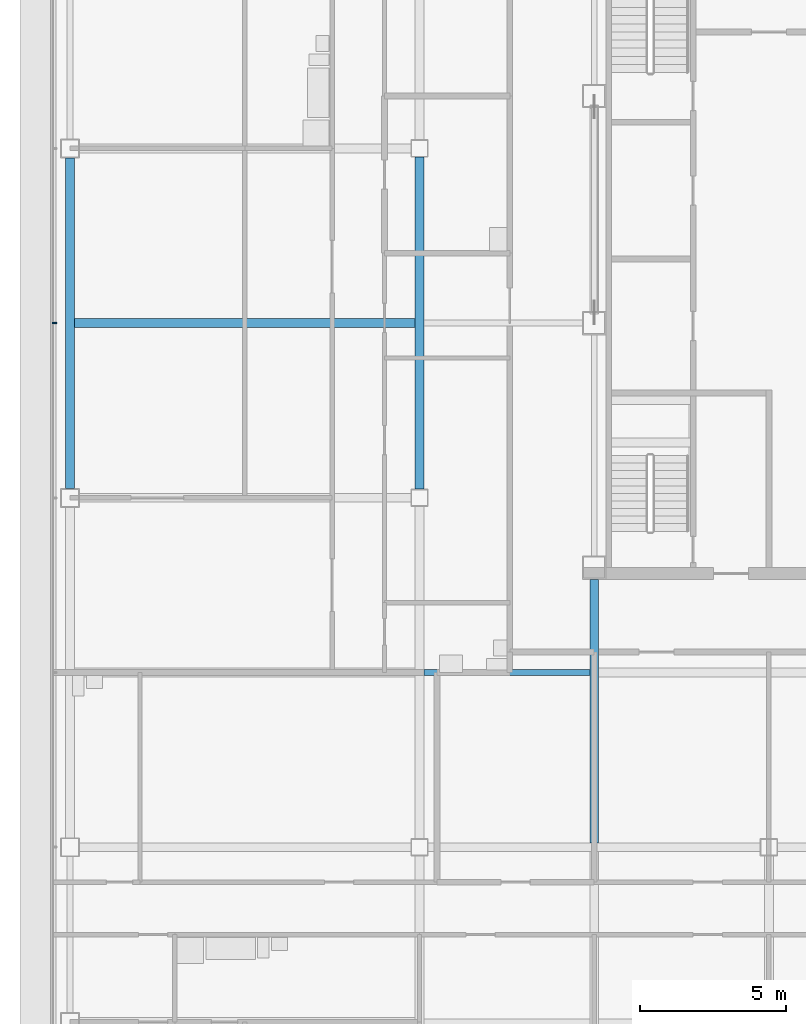
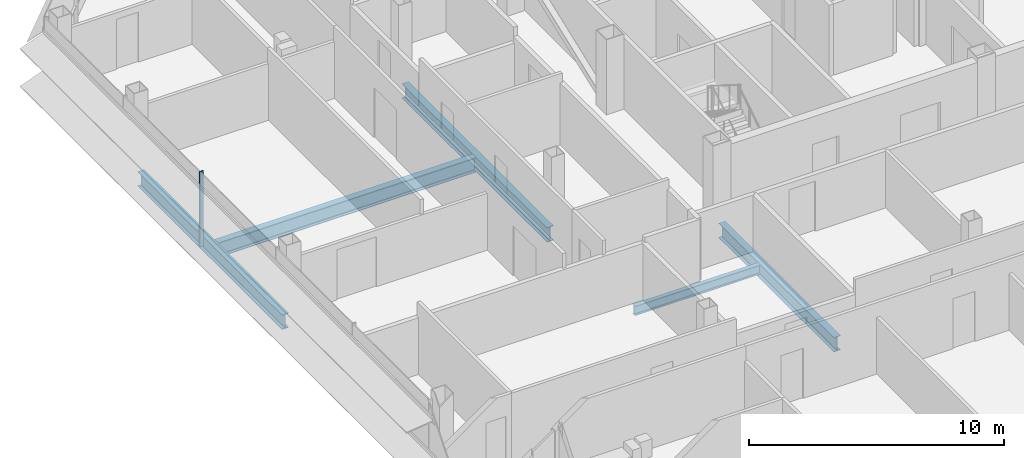
# One storey, part 6 of 27: 5 beams, 1 member, 1 element without a shape of its own.
"""IFC4 building model written with IfcOpenShell, lengths in metres."""

from ifc_helpers import new_model, si_unit, direction, frame, origin, origin_2d, place, context, subcontext, project, spatial, rectangle, i_section, extrude, material, material_profile, profile_set, type_object, element, aggregate, save


model = new_model("IFC4")

# Units and contexts
model_context = context("Model", 3, precision=1e-05, world=origin(), true_north=direction((0.0, 1.0)))
body_context = subcontext(model_context, "Body", "Model", "MODEL_VIEW")
ifc_project = project(units=[si_unit("LENGTHUNIT", "METRE"), si_unit("AREAUNIT", "SQUARE_METRE"), si_unit("VOLUMEUNIT", "CUBIC_METRE"), si_unit("PLANEANGLEUNIT", "RADIAN"), si_unit("MASSUNIT", "GRAM", prefix="KILO")], contexts=[model_context])

# Site, building, storey
site_placement = place(None, origin())
site = spatial("IfcSite", under=ifc_project, at=site_placement, CompositionType="ELEMENT")
building_placement = place(site_placement, origin())
building = spatial("IfcBuilding", under=site, at=building_placement, Name="Sorahane Residences", CompositionType="ELEMENT")
storey_placement = place(building_placement, frame((0.0, 0.0, 239.60009765625)))
storey = spatial("IfcBuildingStorey", under=building, at=storey_placement, Name="L56", CompositionType="ELEMENT", Elevation=239.60009765625)

# Curtain wall, member
ifc_material_1 = material(Name="Dark low-e glass and black anodised aluminium", Category="aluminium")
curtain_wall_type = type_object("IfcCurtainWallType", Name="Curtain wall CW-1 Typical unitised wall", PredefinedType="NOTDEFINED", material=ifc_material_1)
curtain_wall_placement = place(storey_placement, origin())
curtain_wall = element("IfcCurtainWall", 1, at=curtain_wall_placement, inside=storey, type_object=curtain_wall_type, Name="CW-1 curtain wall L56 W1", PredefinedType="NOTDEFINED")
ifc_material_2 = material(Name="Black anodised aluminium", Category="aluminium")
ifc_material_profile_1 = material_profile(ifc_material_2, rectangle(XDim=0.159912109375, YDim=0.050048828125, at=origin_2d()), Name="Curtain wall mullion CW-1 black anodised aluminium 50x160")
ifc_profile_set_1 = profile_set([ifc_material_profile_1], Name="Black anodised aluminium")
member_type = type_object("IfcMemberType", Name="Curtain wall mullion CW-1 black anodised aluminium 50x160", PredefinedType="MULLION", material=ifc_profile_set_1)
member_placement = place(storey_placement, frame((-12.5400390625, 30.0, -0.18017578125), z_axis=(0.0, 0.0, 1.0), x_axis=(-1.0, 0.0, 0.0)))
member = element("IfcMember", 2, at=member_placement, type_object=member_type, Name="CW-1 mullion L56 W1.3", PredefinedType="MULLION", context=body_context, shape_type="SweptSolid", body=[
    extrude(rectangle(XDim=0.159912109375, YDim=0.050048828125, at=origin_2d()), origin(), (0.0, 0.0, 1.0), 3.60009765625),
])
aggregate(curtain_wall, [member])

# Beams
ifc_material_3 = material(Name="Steel Q355B", Category="steel")
ifc_material_profile_2 = material_profile(ifc_material_3, i_section(OverallWidth=0.199951171875, OverallDepth=0.449951171875, WebThickness=0.009033203125, FlangeThickness=0.013916015625, FilletRadius=0.02001953125, at=origin_2d()), Name="HN 450x200x9x14")
ifc_profile_set_2 = profile_set([ifc_material_profile_2], Name="Steel Q355B")
beam_type_1 = type_object("IfcBeamType", Name="Steel floor beam HN 450x200x9x14 Q355B", PredefinedType="BEAM", material=ifc_profile_set_2)
beam_1_placement = place(storey_placement, frame((0.14990234375, 18.0, -0.405029296875), z_axis=(1.0, 0.0, 0.0), x_axis=(0.0, 1.0, 0.0)))
element("IfcBeam", 3, at=beam_1_placement, inside=storey, type_object=beam_type_1, Name="Beam L56 079", PredefinedType="BEAM", context=body_context, shape_type="SweptSolid", body=[
    extrude(i_section(OverallWidth=0.199951171875, OverallDepth=0.449951171875, WebThickness=0.009033203125, FlangeThickness=0.013916015625, FilletRadius=0.02001953125, at=origin_2d()), origin(), (0.0, 0.0, 1.0), 5.7001953125),
])
ifc_material_4 = material(Name="Steel Q355B", Category="steel")
ifc_material_profile_3 = material_profile(ifc_material_4, i_section(OverallWidth=0.300048828125, OverallDepth=0.699951171875, WebThickness=0.012939453125, FlangeThickness=0.02392578125, FilletRadius=0.028076171875, at=origin_2d()), Name="HN 700x300x13x24")
ifc_profile_set_3 = profile_set([ifc_material_profile_3], Name="Steel Q355B")
beam_type_2 = type_object("IfcBeamType", Name="Steel floor beam HN 700x300x13x24 Q355B", PredefinedType="BEAM", material=ifc_profile_set_3)
beam_2_placement = place(storey_placement, frame((-12.0, 24.324951171875, -0.530029296875), z_axis=(0.0, 1.0, 0.0), x_axis=(-1.0, 0.0, 0.0)))
element("IfcBeam", 4, at=beam_2_placement, inside=storey, type_object=beam_type_2, Name="Beam L56 022", PredefinedType="BEAM", context=body_context, shape_type="SweptSolid", body=[
    extrude(i_section(OverallWidth=0.300048828125, OverallDepth=0.699951171875, WebThickness=0.012939453125, FlangeThickness=0.02392578125, FilletRadius=0.028076171875, at=origin_2d()), origin(), (0.0, 0.0, 1.0), 11.35009765625),
])
beam_3_placement = place(storey_placement, frame((0.0, 24.300048828125, -0.530029296875), z_axis=(0.0, 1.0, 0.0), x_axis=(-1.0, 0.0, 0.0)))
element("IfcBeam", 5, at=beam_3_placement, inside=storey, type_object=beam_type_2, Name="Beam L56 026", PredefinedType="BEAM", context=body_context, shape_type="SweptSolid", body=[
    extrude(i_section(OverallWidth=0.300048828125, OverallDepth=0.699951171875, WebThickness=0.012939453125, FlangeThickness=0.02392578125, FilletRadius=0.028076171875, at=origin_2d()), origin(), (0.0, 0.0, 1.0), 11.39990234375),
])
beam_4_placement = place(storey_placement, frame((6.0, 12.14990234375, -0.530029296875), z_axis=(0.0, 1.0, 0.0), x_axis=(-1.0, 0.0, 0.0)))
element("IfcBeam", 6, at=beam_4_placement, inside=storey, type_object=beam_type_2, Name="Beam L56 029", PredefinedType="BEAM", context=body_context, shape_type="SweptSolid", body=[
    extrude(i_section(OverallWidth=0.300048828125, OverallDepth=0.699951171875, WebThickness=0.012939453125, FlangeThickness=0.02392578125, FilletRadius=0.028076171875, at=origin_2d()), origin(), (0.0, 0.0, 1.0), 9.050048828125),
])
beam_5_placement = place(storey_placement, frame((-11.85009765625, 30.0, -0.530029296875), z_axis=(1.0, 0.0, 0.0), x_axis=(0.0, 1.0, 0.0)))
element("IfcBeam", 7, at=beam_5_placement, inside=storey, type_object=beam_type_2, Name="Beam L56 085", PredefinedType="BEAM", context=body_context, shape_type="SweptSolid", body=[
    extrude(i_section(OverallWidth=0.300048828125, OverallDepth=0.699951171875, WebThickness=0.012939453125, FlangeThickness=0.02392578125, FilletRadius=0.028076171875, at=origin_2d()), origin(), (0.0, 0.0, 1.0), 11.7001953125),
])

save(model, "model.ifc")
